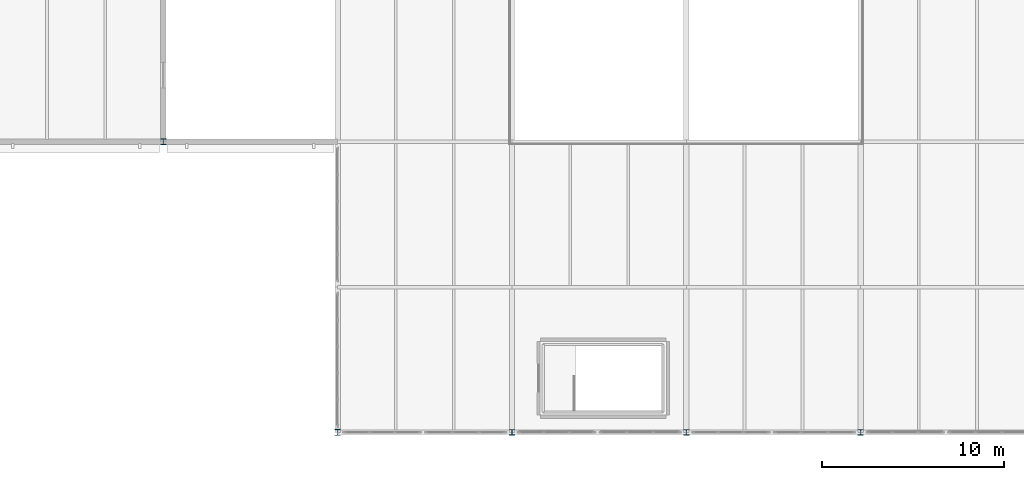
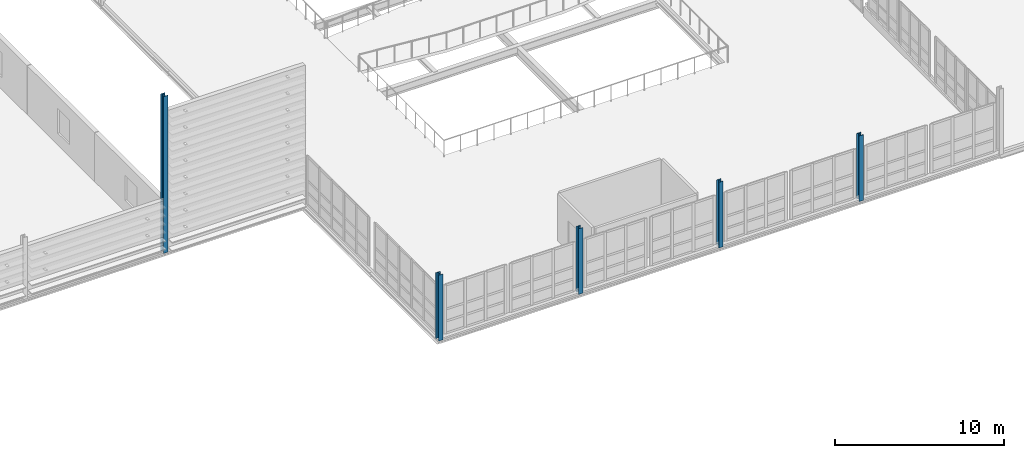
# One storey, part 7 of 73: 5 columns.
"""IFC4 building model written with IfcOpenShell, lengths in metres."""

from ifc_helpers import new_model, si_unit, direction, frame, origin, origin_2d, place, context, subcontext, project, spatial, i_section, extrude, material, material_profile, profile_set, type_object, element, save


model = new_model("IFC4")

# Units and contexts
model_context = context("Model", 3, precision=1e-05, world=origin(), true_north=direction((0.0, 1.0)))
body_context = subcontext(model_context, "Body", "Model", "MODEL_VIEW")
ifc_project = project(units=[si_unit("LENGTHUNIT", "METRE"), si_unit("AREAUNIT", "SQUARE_METRE"), si_unit("VOLUMEUNIT", "CUBIC_METRE"), si_unit("PLANEANGLEUNIT", "RADIAN"), si_unit("MASSUNIT", "GRAM", prefix="KILO")], contexts=[model_context])

# Site, building, storey
site_placement = place(None, origin())
site = spatial("IfcSite", under=ifc_project, at=site_placement, CompositionType="ELEMENT")
building_placement = place(site_placement, origin())
building = spatial("IfcBuilding", under=site, at=building_placement, Name="Alderhovde Museum", CompositionType="ELEMENT")
storey_placement = place(building_placement, frame((0.0, 0.0, 12.89990234375)))
storey = spatial("IfcBuildingStorey", under=building, at=storey_placement, Name="L03", CompositionType="ELEMENT", Elevation=12.89990234375)

# Columns
ifc_material_1 = material(Name="Steel S355J2", Category="steel")
ifc_material_profile_1 = material_profile(ifc_material_1, i_section(OverallWidth=0.300048828125, OverallDepth=0.300048828125, WebThickness=0.010986328125, FlangeThickness=0.01904296875, FilletRadius=0.027099609375, at=origin_2d()), Name="HEB 300")
ifc_profile_set_1 = profile_set([ifc_material_profile_1], Name="Steel S355J2")
column_type_1 = type_object("IfcColumnType", Name="COL-HEB300", PredefinedType="COLUMN", material=ifc_profile_set_1)
for number, where, z_axis, x_axis, name in (
    (1, (86.39990234375, 32.0, -0.260009765625), (0.0, 0.0, 1.0), (1.0, 0.0, 0.0), "L03 Column (86.4, 32.0)"),
    (2, (96.0, 32.0, -0.260009765625), (0.0, 0.0, 1.0), (1.0, 0.0, 0.0), "L03 Column (96.0, 32.0)"),
    (3, (105.60009765625, 32.0, -0.260009765625), (0.0, 0.0, 1.0), (1.0, 0.0, 0.0), "L03 Column (105.6, 32.0)"),
):
    element("IfcColumn", number, at=place(storey_placement, frame(where, z_axis=z_axis, x_axis=x_axis)), inside=storey, type_object=column_type_1, Name=name, PredefinedType="COLUMN", context=body_context, shape_type="SweptSolid", body=[
        extrude(i_section(OverallWidth=0.300048828125, OverallDepth=0.300048828125, WebThickness=0.010986328125, FlangeThickness=0.01904296875, FilletRadius=0.027099609375, at=origin_2d()), origin(), (0.0, 0.0, 1.0), 4.760009765625),
    ])
ifc_material_2 = material(Name="Steel S355J2", Category="steel")
ifc_material_profile_2 = material_profile(ifc_material_2, i_section(OverallWidth=0.300048828125, OverallDepth=0.340087890625, WebThickness=0.011962890625, FlangeThickness=0.021484375, FilletRadius=0.027099609375, at=origin_2d()), Name="HEB 340")
ifc_profile_set_2 = profile_set([ifc_material_profile_2], Name="Steel S355J2")
column_type_2 = type_object("IfcColumnType", Name="COL-HEB340", PredefinedType="COLUMN", material=ifc_profile_set_2)
column_1_placement = place(storey_placement, frame((67.199951171875, 48.0, -0.260009765625), z_axis=(0.0, 0.0, 1.0), x_axis=(1.0, 0.0, 0.0)))
element("IfcColumn", 4, at=column_1_placement, inside=storey, type_object=column_type_2, Name="L03 Column (67.2, 48.0)", PredefinedType="COLUMN", context=body_context, shape_type="SweptSolid", body=[
    extrude(i_section(OverallWidth=0.300048828125, OverallDepth=0.340087890625, WebThickness=0.011962890625, FlangeThickness=0.021484375, FilletRadius=0.027099609375, at=origin_2d()), origin(), (0.0, 0.0, 1.0), 11.3583984375),
])
column_2_placement = place(storey_placement, frame((76.800048828125, 32.0, -0.260009765625), z_axis=(0.0, 0.0, 1.0), x_axis=(1.0, 0.0, 0.0)))
element("IfcColumn", 5, at=column_2_placement, inside=storey, type_object=column_type_2, Name="L03 Column (76.8, 32.0)", PredefinedType="COLUMN", context=body_context, shape_type="SweptSolid", body=[
    extrude(i_section(OverallWidth=0.300048828125, OverallDepth=0.340087890625, WebThickness=0.011962890625, FlangeThickness=0.021484375, FilletRadius=0.027099609375, at=origin_2d()), origin(), (0.0, 0.0, 1.0), 4.760009765625),
])

save(model, "model.ifc")
